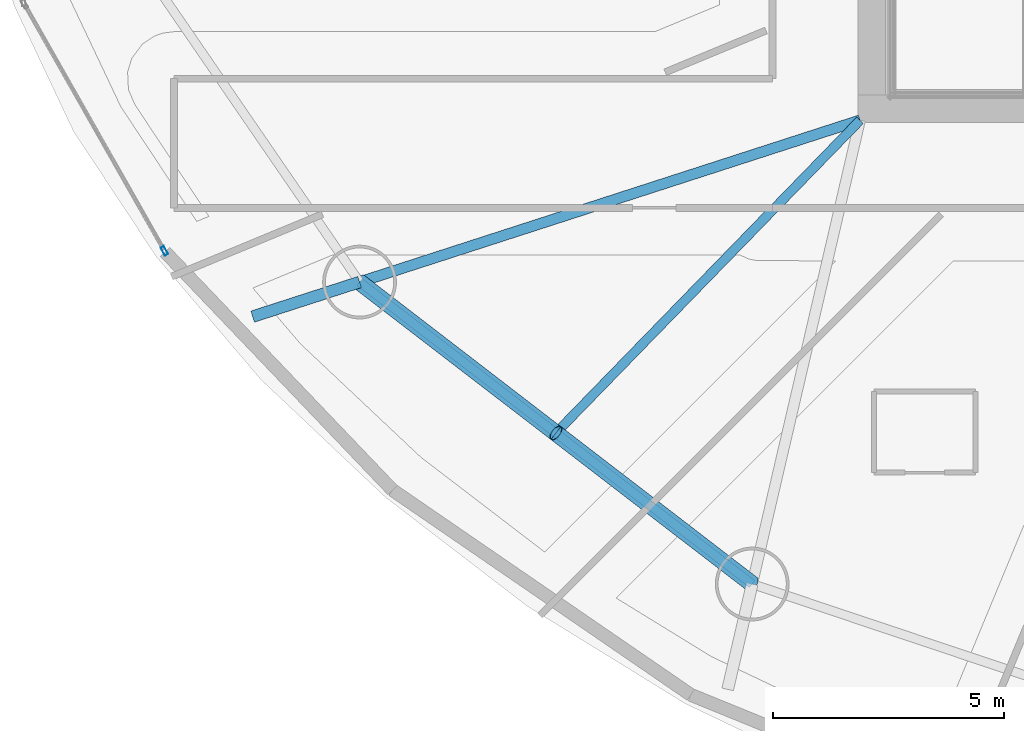
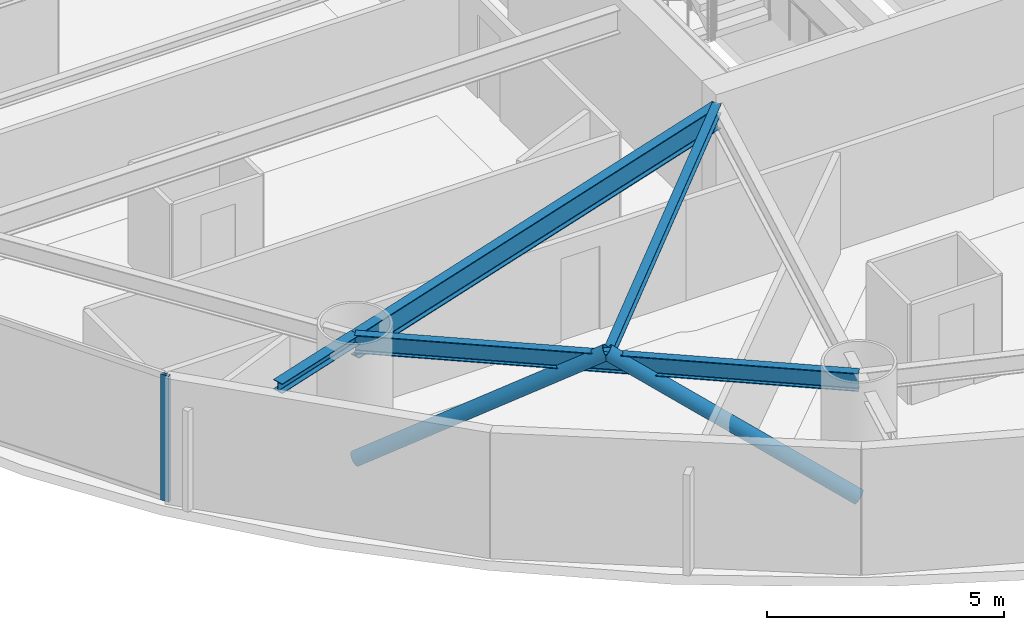
# One storey, part 2 of 27: 4 beams, 3 members, 1 element without a shape of its own.
"""IFC4 building model written with IfcOpenShell, lengths in metres."""

from ifc_helpers import new_model, si_unit, direction, frame, origin, origin_2d, place, context, subcontext, project, spatial, hollow_rectangle, hollow_circle, i_section, extrude, material, layer, layer_set, material_profile, profile_set, type_object, element, aggregate, save


model = new_model("IFC4")

# Units and contexts
model_context = context("Model", 3, precision=1e-05, world=origin(), true_north=direction((0.0, 1.0)))
body_context = subcontext(model_context, "Body", "Model", "MODEL_VIEW")
ifc_project = project(units=[si_unit("LENGTHUNIT", "METRE"), si_unit("AREAUNIT", "SQUARE_METRE"), si_unit("VOLUMEUNIT", "CUBIC_METRE"), si_unit("PLANEANGLEUNIT", "RADIAN"), si_unit("MASSUNIT", "GRAM", prefix="KILO")], contexts=[model_context])

# Site, building, storey
site_placement = place(None, origin())
site = spatial("IfcSite", under=ifc_project, at=site_placement, CompositionType="ELEMENT")
building_placement = place(site_placement, origin())
building = spatial("IfcBuilding", under=site, at=building_placement, Name="Bramvorn Convention Spire", CompositionType="ELEMENT")
storey_placement = place(building_placement, frame((0.0, 0.0, 41.39990234375)))
storey = spatial("IfcBuildingStorey", under=building, at=storey_placement, Name="L07", CompositionType="ELEMENT", Elevation=41.39990234375)

# Beams
ifc_material_1 = material(Name="Steel CSA G40.21 Grade 350 (350W)", Category="steel")
ifc_material_profile_1 = material_profile(ifc_material_1, i_section(OverallWidth=0.201904296875, OverallDepth=0.2470703125, WebThickness=0.00732421875, FlangeThickness=0.010986328125, FilletRadius=0.011962890625, at=origin_2d()))
ifc_profile_set_1 = profile_set([ifc_material_profile_1], Name="Steel CSA G40.21 Grade 350 (350W) - W250X49")
beam_type_1 = type_object("IfcBeamType", Name="BM-W250X49", PredefinedType="JOIST", material=ifc_profile_set_1)
beam_1_placement = place(storey_placement, frame((26.75, 18.550048828125, 3.126708984375), z_axis=(-0.697157225069, -0.716918268378, 0.0), x_axis=(0.716918268378, -0.697157225069, 0.0)))
element("IfcBeam", 1, at=beam_1_placement, inside=storey, type_object=beam_type_1, Name="L07 composite floor joist 11", PredefinedType="JOIST", context=body_context, shape_type="SweptSolid", body=[
    extrude(i_section(OverallWidth=0.201904296875, OverallDepth=0.2470703125, WebThickness=0.00732421875, FlangeThickness=0.010986328125, FilletRadius=0.011962890625, at=origin_2d()), origin(), (0.0, 0.0, 1.0), 9.463623046875),
])
ifc_material_profile_2 = material_profile(ifc_material_1, i_section(OverallWidth=0.25390625, OverallDepth=0.2529296875, WebThickness=0.008544921875, FlangeThickness=0.01416015625, FilletRadius=0.011962890625, at=origin_2d()))
ifc_profile_set_2 = profile_set([ifc_material_profile_2], Name="Steel CSA G40.21 Grade 350 (350W) - W250X73")
beam_type_2 = type_object("IfcBeamType", Name="BM-W250X73", PredefinedType="BEAM", material=ifc_profile_set_2)
beam_2_placement = place(storey_placement, frame((15.894775390625, 15.039794921875, 3.12353515625), z_axis=(-0.951500611325, -0.307646853793, 0.0), x_axis=(0.307646853793, -0.951500611325, 0.0)))
element("IfcBeam", 2, at=beam_2_placement, inside=storey, type_object=beam_type_2, Name="L07 slab-edge cantilever tip beam MC11", PredefinedType="BEAM", context=body_context, shape_type="SweptSolid", body=[
    extrude(i_section(OverallWidth=0.25390625, OverallDepth=0.2529296875, WebThickness=0.008544921875, FlangeThickness=0.01416015625, FilletRadius=0.011962890625, at=origin_2d()), origin(), (0.0, 0.0, 1.0), 2.436279296875),
])
ifc_material_profile_3 = material_profile(ifc_material_1, i_section(OverallWidth=0.194091796875, OverallDepth=0.468994140625, WebThickness=0.0126953125, FlangeThickness=0.0205078125, FilletRadius=0.01806640625, at=origin_2d()))
ifc_profile_set_3 = profile_set([ifc_material_profile_3], Name="Steel CSA G40.21 Grade 350 (350W) - W460X106")
beam_type_3 = type_object("IfcBeamType", Name="BM-W460X106", PredefinedType="SPANDREL", material=ifc_profile_set_3)
beam_3_placement = place(storey_placement, frame((15.894775390625, 15.039794921875, 3.015625), z_axis=(0.792672990445, -0.609647053809, 0.0), x_axis=(0.609647053809, 0.792672990445, 0.0)))
element("IfcBeam", 3, at=beam_3_placement, inside=storey, type_object=beam_type_3, Name="L07 mega-column ring beam 11", PredefinedType="SPANDREL", context=body_context, shape_type="SweptSolid", body=[
    extrude(i_section(OverallWidth=0.194091796875, OverallDepth=0.468994140625, WebThickness=0.0126953125, FlangeThickness=0.0205078125, FilletRadius=0.01806640625, at=origin_2d()), origin(), (0.0, 0.0, 1.0), 10.741943359375),
])
ifc_material_profile_4 = material_profile(ifc_material_1, i_section(OverallWidth=0.22998046875, OverallDepth=0.616943359375, WebThickness=0.01318359375, FlangeThickness=0.022216796875, FilletRadius=0.02001953125, at=origin_2d()))
ifc_profile_set_4 = profile_set([ifc_material_profile_4], Name="Steel CSA G40.21 Grade 350 (350W) - W610X140")
beam_type_4 = type_object("IfcBeamType", Name="BM-W610X140", PredefinedType="BEAM", material=ifc_profile_set_4)
beam_4_placement = place(storey_placement, frame((26.75, 18.550048828125, 2.941650390625), z_axis=(-0.951488933275, -0.307682969719, 0.0), x_axis=(0.307682969719, -0.951488933275, 0.0)))
element("IfcBeam", 4, at=beam_4_placement, inside=storey, type_object=beam_type_4, Name="L07 radial floor girder MC11", PredefinedType="BEAM", context=body_context, shape_type="SweptSolid", body=[
    extrude(i_section(OverallWidth=0.22998046875, OverallDepth=0.616943359375, WebThickness=0.01318359375, FlangeThickness=0.022216796875, FilletRadius=0.02001953125, at=origin_2d()), origin(), (0.0, 0.0, 1.0), 11.40869140625),
])

# Curtain wall, member
ifc_material_2 = material(Name="Anodised Bronze Unitised Curtain Wall", Category="aluminium")
ifc_layer = layer(ifc_material_2, 0.179931640625)
ifc_layer_set = layer_set([ifc_layer], Name="Anodised Bronze Unitised Curtain Wall - CW-HTL-FRIT")
curtain_wall_type = type_object("IfcCurtainWallType", Name="CW-HTL-FRIT", PredefinedType="USERDEFINED", material=ifc_layer_set)
curtain_wall_placement = place(storey_placement, origin())
curtain_wall = element("IfcCurtainWall", 5, at=curtain_wall_placement, inside=storey, type_object=curtain_wall_type, Name="L07 fritted glass curtain wall 14", ObjectType="UNITISED CURTAIN WALL", PredefinedType="USERDEFINED")
ifc_material_3 = material(Name="Anodised Bronze Aluminium 6063-T6", Category="aluminium")
ifc_material_profile_5 = material_profile(ifc_material_3, hollow_rectangle(XDim=0.080078125, YDim=0.199951171875, WallThickness=0.00390625, InnerFilletRadius=0.0009765625, OuterFilletRadius=0.00390625, at=origin_2d()))
ifc_profile_set_5 = profile_set([ifc_material_profile_5], Name="Anodised Bronze Aluminium 6063-T6 - CWM80X200")
member_type_1 = type_object("IfcMemberType", Name="CW-MUL-180", PredefinedType="MULLION", material=ifc_profile_set_5)
member_1_placement = place(storey_placement, frame((11.66162109375, 15.71875, 0.0), z_axis=(0.0, 0.0, 1.0), x_axis=(-0.869741940254, -0.49350679566, 0.0)))
member_1 = element("IfcMember", 6, at=member_1_placement, type_object=member_type_1, Name="CW2 mullion 1", PredefinedType="MULLION", context=body_context, shape_type="SweptSolid", body=[
    extrude(hollow_rectangle(XDim=0.080078125, YDim=0.199951171875, WallThickness=0.00390625, InnerFilletRadius=0.0009765625, OuterFilletRadius=0.00390625, at=origin_2d()), origin(), (0.0, 0.0, 1.0), 3.25),
])
aggregate(curtain_wall, [member_1])

# Members
ifc_material_profile_6 = material_profile(ifc_material_1, hollow_circle(Radius=0.177734375, WallThickness=0.015869140625, at=origin_2d()))
ifc_profile_set_6 = profile_set([ifc_material_profile_6], Name="Steel CSA G40.21 Grade 350 (350W) - CHS356X16")
member_type_2 = type_object("IfcMemberType", Name="MBR-CHS356X16", PredefinedType="BRACE", material=ifc_profile_set_6)
member_2_placement = place(storey_placement, frame((15.894775390625, 15.039794921875, 0.0), z_axis=(0.67819086212, -0.521583568023, 0.517694635962), x_axis=(0.609636070784, 0.7926814374, 0.0)))
element("IfcMember", 7, at=member_2_placement, inside=storey, type_object=member_type_2, Name="L07 perimeter Gothic lancet brace 11A", PredefinedType="BRACE", context=body_context, shape_type="SweptSolid", body=[
    extrude(hollow_circle(Radius=0.177734375, WallThickness=0.015869140625, at=origin_2d()), origin(), (0.0, 0.0, 1.0), 6.27783203125),
])
member_3_placement = place(storey_placement, frame((24.40966796875, 8.490966796875, 0.0), z_axis=(-0.678169858834, 0.521597324617, 0.517708289987), x_axis=(-0.609658037113, -0.792664543034, 0.0)))
element("IfcMember", 8, at=member_3_placement, inside=storey, type_object=member_type_2, Name="L07 perimeter Gothic lancet brace 11B", PredefinedType="BRACE", context=body_context, shape_type="SweptSolid", body=[
    extrude(hollow_circle(Radius=0.177734375, WallThickness=0.015869140625, at=origin_2d()), origin(), (0.0, 0.0, 1.0), 6.277587890625),
])

save(model, "model.ifc")
